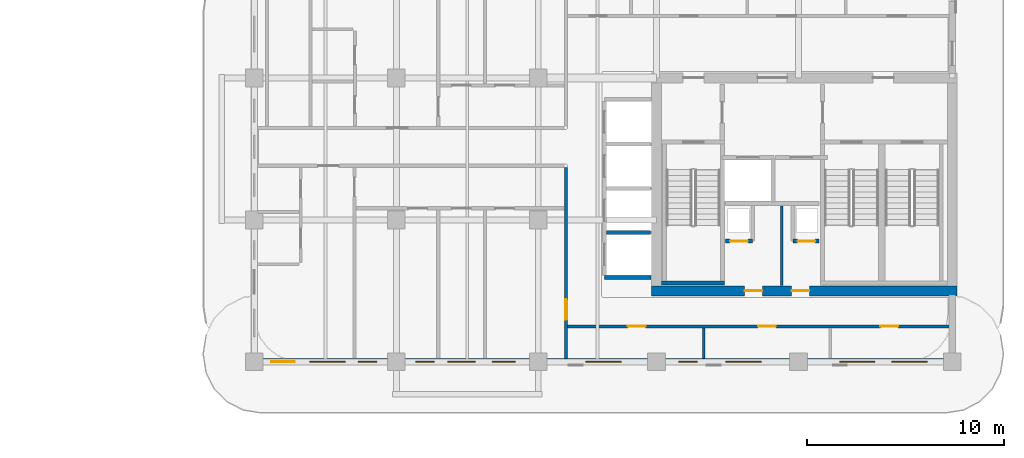
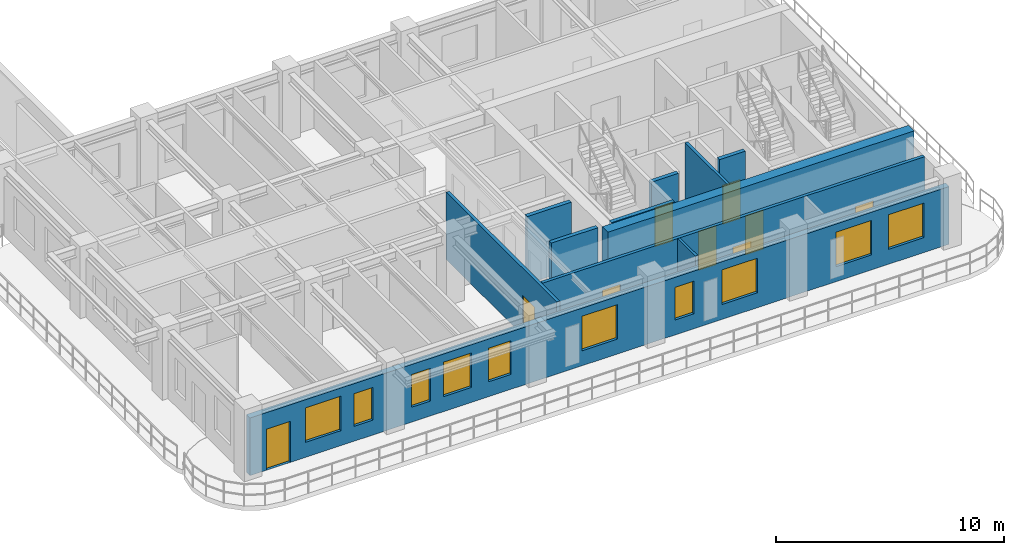
# One storey, part 7 of 14: 11 walls, 10 windows, 9 doors, 19 openings.
"""IFC4 building model written with IfcOpenShell, lengths in metres."""

from ifc_helpers import new_model, si_unit, derived_unit, direction, frame, frame_2d, origin, place, context, subcontext, project, spatial, rectangle, extrude, source, transform, mapped, material, layer, layer_set, type_object, type_shapes, element, fill, save


model = new_model("IFC4")

# Units and contexts
model_context = context("Model", 3, precision=1e-05, world=origin(), true_north=direction((0.0, 1.0)))
body_context = subcontext(model_context, "Body", "Model", "MODEL_VIEW")
ifc_project = project(units=[si_unit("LENGTHUNIT", "METRE"), si_unit("AREAUNIT", "SQUARE_METRE"), si_unit("VOLUMEUNIT", "CUBIC_METRE"), si_unit("PLANEANGLEUNIT", "RADIAN"), si_unit("MASSUNIT", "GRAM", prefix="KILO"), si_unit("THERMODYNAMICTEMPERATUREUNIT", "KELVIN"), si_unit("POWERUNIT", "WATT"), derived_unit("THERMALTRANSMITTANCEUNIT", [(si_unit("POWERUNIT", "WATT"), 1), (si_unit("AREAUNIT", "SQUARE_METRE"), -1), (si_unit("THERMODYNAMICTEMPERATUREUNIT", "KELVIN"), -1)])], contexts=[model_context])

# Site, building, storey
site_placement = place(None, origin())
site = spatial("IfcSite", under=ifc_project, at=site_placement, CompositionType="ELEMENT")
building_placement = place(site_placement, origin())
building = spatial("IfcBuilding", under=site, at=building_placement, Name="Zahravan Archway Hotel and Residences", CompositionType="ELEMENT")
storey_placement = place(building_placement, frame((0.0, 0.0, 209.60009765625)))
storey = spatial("IfcBuildingStorey", under=building, at=storey_placement, Name="L52", CompositionType="ELEMENT", Elevation=209.60009765625)

# Wall, openings, doors
ifc_material_1 = material(Name="Concrete C60/75", Category="concrete")
ifc_layer_1 = layer(ifc_material_1, 0.5, Name="Concrete C60/75", Category="concrete")
ifc_layer_set_1 = layer_set([ifc_layer_1], Name="Concrete C60/75")
wall_type_1 = type_object("IfcWallType", Name="CW-CORE-500", PredefinedType="SHEAR", material=ifc_layer_set_1)
wall_1_placement = place(storey_placement, frame((34.550048828125, 3.60009765625, 0.0), z_axis=(0.0, 0.0, 1.0), x_axis=(1.0, 0.0, 0.0)))
wall_1 = element("IfcWall", 1, at=wall_1_placement, inside=storey, type_object=wall_type_1, Name="L52 Core A Shear S Wall 500 mm", PredefinedType="SHEAR", context=body_context, shape_type="SweptSolid", body=[
    extrude(rectangle(XDim=15.5, YDim=0.5, at=frame_2d((7.75, 0.0))), origin(), (0.0, 0.0, 1.0), 3.849853515625),
])
opening_1_placement = place(wall_1_placement, frame((4.719970703125, 0.0, 0.0)))
opening_1 = element("IfcOpeningElement", 2, at=opening_1_placement, cuts=wall_1, Name="Opening FD-R1", PredefinedType="OPENING", context=body_context, shape_type="SweptSolid", body=[
    extrude(rectangle(XDim=0.89990234375, YDim=2.10009765625, at=frame_2d((0.449951171875, 1.050048828125))), frame((0.0, 0.260009765625, 0.0), z_axis=(0.0, -1.0, 0.0), x_axis=(1.0, 0.0, 0.0)), (0.0, 0.0, 1.0), 0.52001953125),
])
opening_2_placement = place(wall_1_placement, frame((7.10009765625, 0.0, 0.0)))
opening_2 = element("IfcOpeningElement", 3, at=opening_2_placement, cuts=wall_1, Name="Opening FD-R1", PredefinedType="OPENING", context=body_context, shape_type="SweptSolid", body=[
    extrude(rectangle(XDim=0.89990234375, YDim=2.10009765625, at=frame_2d((0.449951171875, 1.050048828125))), frame((0.0, 0.260009765625, 0.0), z_axis=(0.0, -1.0, 0.0), x_axis=(1.0, 0.0, 0.0)), (0.0, 0.0, 1.0), 0.52001953125),
])
ifc_material_2 = material(Name="Fire-Rated Painted Steel", Category="steel")
door_type_1 = type_object("IfcDoorType", Name="FD-RISER-900", OperationType="NOTDEFINED", PredefinedType="DOOR", material=ifc_material_2)
shared_shape_1 = source(origin(), body_context, "Body", "SweptSolid", [
    extrude(rectangle(XDim=0.89990234375, YDim=2.10009765625, at=frame_2d((0.449951171875, 1.050048828125))), frame((0.0, 0.02490234375, 0.0), z_axis=(0.0, -1.0, 0.0), x_axis=(1.0, 0.0, 0.0)), (0.0, 0.0, 1.0), 0.050048828125),
])
type_shapes(door_type_1, [shared_shape_1])
door_1_placement = place(opening_1_placement, origin())
door_1 = element("IfcDoor", 4, at=door_1_placement, inside=storey, type_object=door_type_1, Name="L52 Fan Room Door", OperationType="SINGLE_SWING_RIGHT", OverallHeight=2.10009765625, OverallWidth=0.89990234375, PredefinedType="DOOR", context=body_context, shape_type="MappedRepresentation", body=[
    mapped(shared_shape_1, transform((0.0, 0.0, 0.0), scale=1.0)),
])
fill(opening_1, door_1)
door_2_placement = place(opening_2_placement, origin())
door_2 = element("IfcDoor", 5, at=door_2_placement, inside=storey, type_object=door_type_1, Name="L52 Sub-Meter Cupboard Door", OperationType="SINGLE_SWING_LEFT", OverallHeight=2.10009765625, OverallWidth=0.89990234375, PredefinedType="DOOR", context=body_context, shape_type="MappedRepresentation", body=[
    mapped(shared_shape_1, transform((0.0, 0.0, 0.0), scale=1.0)),
])
fill(opening_2, door_2)

# Wall, openings, door, windows
ifc_material_3 = material(Name="Agra Buff Sandstone & Insulated Backup", Category="masonry")
ifc_layer_2 = layer(ifc_material_3, 0.320068359375, Name="Agra Buff Sandstone & Insulated Backup", Category="masonry")
ifc_layer_set_2 = layer_set([ifc_layer_2], Name="Agra Buff Sandstone & Insulated Backup")
wall_type_2 = type_object("IfcWallType", Name="EW-SAND-320", PredefinedType="SOLIDWALL", material=ifc_layer_set_2)
wall_2_placement = place(storey_placement, frame((14.39990234375, 0.0, 0.0), z_axis=(0.0, 0.0, 1.0), x_axis=(1.0, 0.0, 0.0)))
wall_2 = element("IfcWall", 6, at=wall_2_placement, inside=storey, type_object=wall_type_2, Name="L52 Exterior Sandstone Wall WA-S", PredefinedType="SOLIDWALL", context=body_context, shape_type="SweptSolid", body=[
    extrude(rectangle(XDim=35.400146484375, YDim=0.320068359375, at=frame_2d((17.7001953125, 0.0))), origin(), (0.0, 0.0, 1.0), 3.0849609375),
])
opening_3_placement = place(wall_2_placement, frame((0.85009765625, 0.0, 0.0)))
opening_3 = element("IfcOpeningElement", 7, at=opening_3_placement, cuts=wall_2, Name="Opening ED-BL1", PredefinedType="OPENING", context=body_context, shape_type="SweptSolid", body=[
    extrude(rectangle(XDim=1.199951171875, YDim=2.199951171875, at=frame_2d((0.60009765625, 1.10009765625))), frame((0.0, 0.169921875, 0.0), z_axis=(0.0, -1.0, 0.0), x_axis=(1.0, 0.0, 0.0)), (0.0, 0.0, 1.0), 0.340087890625),
])
opening_4_placement = place(wall_2_placement, frame((2.81103515625, 0.0, 0.800048828125)))
opening_4 = element("IfcOpeningElement", 8, at=opening_4_placement, cuts=wall_2, Name="Opening W-02", PredefinedType="OPENING", context=body_context, shape_type="SweptSolid", body=[
    extrude(rectangle(XDim=1.800048828125, YDim=1.85009765625, at=frame_2d((0.89990234375, 0.925048828125))), frame((0.0, 0.169921875, 0.0), z_axis=(0.0, -1.0, 0.0), x_axis=(1.0, 0.0, 0.0)), (0.0, 0.0, 1.0), 0.340087890625),
])
opening_5_placement = place(wall_2_placement, frame((5.26904296875, 0.0, 0.800048828125)))
opening_5 = element("IfcOpeningElement", 9, at=opening_5_placement, cuts=wall_2, Name="Opening W-04", PredefinedType="OPENING", context=body_context, shape_type="SweptSolid", body=[
    extrude(rectangle(XDim=0.949951171875, YDim=1.75, at=frame_2d((0.47509765625, 0.875))), frame((0.0, 0.169921875, 0.0), z_axis=(0.0, -1.0, 0.0), x_axis=(1.0, 0.0, 0.0)), (0.0, 0.0, 1.0), 0.340087890625),
])
opening_6_placement = place(wall_2_placement, frame((8.180908203125, 0.0, 0.800048828125)))
opening_6 = element("IfcOpeningElement", 10, at=opening_6_placement, cuts=wall_2, Name="Opening W-04", PredefinedType="OPENING", context=body_context, shape_type="SweptSolid", body=[
    extrude(rectangle(XDim=0.949951171875, YDim=1.75, at=frame_2d((0.47509765625, 0.875))), frame((0.0, 0.169921875, 0.0), z_axis=(0.0, -1.0, 0.0), x_axis=(1.0, 0.0, 0.0)), (0.0, 0.0, 1.0), 0.340087890625),
])
opening_7_placement = place(wall_2_placement, frame((9.81005859375, 0.0, 0.800048828125)))
opening_7 = element("IfcOpeningElement", 11, at=opening_7_placement, cuts=wall_2, Name="Opening W-03", PredefinedType="OPENING", context=body_context, shape_type="SweptSolid", body=[
    extrude(rectangle(XDim=1.39990234375, YDim=1.85009765625, at=frame_2d((0.699951171875, 0.925048828125))), frame((0.0, 0.169921875, 0.0), z_axis=(0.0, -1.0, 0.0), x_axis=(1.0, 0.0, 0.0)), (0.0, 0.0, 1.0), 0.340087890625),
])
opening_8_placement = place(wall_2_placement, frame((12.0791015625, 0.0, 0.800048828125)))
opening_8 = element("IfcOpeningElement", 12, at=opening_8_placement, cuts=wall_2, Name="Opening W-05", PredefinedType="OPENING", context=body_context, shape_type="SweptSolid", body=[
    extrude(rectangle(XDim=1.14990234375, YDim=1.800048828125, at=frame_2d((0.574951171875, 0.89990234375))), frame((0.0, 0.169921875, 0.0), z_axis=(0.0, -1.0, 0.0), x_axis=(1.0, 0.0, 0.0)), (0.0, 0.0, 1.0), 0.340087890625),
])
opening_9_placement = place(wall_2_placement, frame((16.803955078125, 0.0, 0.800048828125)))
opening_9 = element("IfcOpeningElement", 13, at=opening_9_placement, cuts=wall_2, Name="Opening W-02", PredefinedType="OPENING", context=body_context, shape_type="SweptSolid", body=[
    extrude(rectangle(XDim=1.800048828125, YDim=1.85009765625, at=frame_2d((0.89990234375, 0.925048828125))), frame((0.0, 0.169921875, 0.0), z_axis=(0.0, -1.0, 0.0), x_axis=(1.0, 0.0, 0.0)), (0.0, 0.0, 1.0), 0.340087890625),
])
opening_10_placement = place(wall_2_placement, frame((21.52099609375, 0.0, 0.800048828125)))
opening_10 = element("IfcOpeningElement", 14, at=opening_10_placement, cuts=wall_2, Name="Opening W-04", PredefinedType="OPENING", context=body_context, shape_type="SweptSolid", body=[
    extrude(rectangle(XDim=0.949951171875, YDim=1.75, at=frame_2d((0.47509765625, 0.875))), frame((0.0, 0.169921875, 0.0), z_axis=(0.0, -1.0, 0.0), x_axis=(1.0, 0.0, 0.0)), (0.0, 0.0, 1.0), 0.340087890625),
])
opening_11_placement = place(wall_2_placement, frame((23.904052734375, 0.0, 0.800048828125)))
opening_11 = element("IfcOpeningElement", 15, at=opening_11_placement, cuts=wall_2, Name="Opening W-02", PredefinedType="OPENING", context=body_context, shape_type="SweptSolid", body=[
    extrude(rectangle(XDim=1.800048828125, YDim=1.85009765625, at=frame_2d((0.89990234375, 0.925048828125))), frame((0.0, 0.169921875, 0.0), z_axis=(0.0, -1.0, 0.0), x_axis=(1.0, 0.0, 0.0)), (0.0, 0.0, 1.0), 0.340087890625),
])
opening_12_placement = place(wall_2_placement, frame((29.680908203125, 0.0, 0.800048828125)))
opening_12 = element("IfcOpeningElement", 16, at=opening_12_placement, cuts=wall_2, Name="Opening W-02", PredefinedType="OPENING", context=body_context, shape_type="SweptSolid", body=[
    extrude(rectangle(XDim=1.800048828125, YDim=1.85009765625, at=frame_2d((0.89990234375, 0.925048828125))), frame((0.0, 0.169921875, 0.0), z_axis=(0.0, -1.0, 0.0), x_axis=(1.0, 0.0, 0.0)), (0.0, 0.0, 1.0), 0.340087890625),
])
opening_13_placement = place(wall_2_placement, frame((32.326904296875, 0.0, 0.800048828125)))
opening_13 = element("IfcOpeningElement", 17, at=opening_13_placement, cuts=wall_2, Name="Opening W-02", PredefinedType="OPENING", context=body_context, shape_type="SweptSolid", body=[
    extrude(rectangle(XDim=1.800048828125, YDim=1.85009765625, at=frame_2d((0.89990234375, 0.925048828125))), frame((0.0, 0.169921875, 0.0), z_axis=(0.0, -1.0, 0.0), x_axis=(1.0, 0.0, 0.0)), (0.0, 0.0, 1.0), 0.340087890625),
])
ifc_material_4 = material(Name="Bronze-Anodized Glazed Aluminium", Category="aluminium")
door_type_2 = type_object("IfcDoorType", Name="ED-BALC-1200", OperationType="SLIDING_TO_LEFT", PredefinedType="DOOR", material=ifc_material_4)
shared_shape_2 = source(origin(), body_context, "Body", "SweptSolid", [
    extrude(rectangle(XDim=1.199951171875, YDim=2.199951171875, at=frame_2d((0.60009765625, 1.10009765625))), frame((0.0, 0.02490234375, 0.0), z_axis=(0.0, -1.0, 0.0), x_axis=(1.0, 0.0, 0.0)), (0.0, 0.0, 1.0), 0.050048828125),
])
type_shapes(door_type_2, [shared_shape_2])
door_3_placement = place(opening_3_placement, origin())
door_3 = element("IfcDoor", 18, at=door_3_placement, inside=storey, type_object=door_type_2, Name="L52 Outdoor Access Sliding Door (SLB-BAL-L52-SA)", OperationType="SLIDING_TO_LEFT", OverallHeight=2.199951171875, OverallWidth=1.199951171875, PredefinedType="DOOR", context=body_context, shape_type="MappedRepresentation", body=[
    mapped(shared_shape_2, transform((0.0, 0.0, 0.0), scale=1.0)),
])
fill(opening_3, door_3)
ifc_material_5 = material(Name="Bronze-Anodized Thermal-Break Aluminium & Low-E Glass", Category="aluminium")
window_type_1 = type_object("IfcWindowType", Name="WIN-TWR-1400", PartitioningType="SINGLE_PANEL", PredefinedType="WINDOW", material=ifc_material_5)
shared_shape_3 = source(origin(), body_context, "Body", "SweptSolid", [
    extrude(rectangle(XDim=1.39990234375, YDim=1.85009765625, at=frame_2d((0.699951171875, 0.925048828125))), frame((0.0, 0.030029296875, 0.0), z_axis=(0.0, -1.0, 0.0), x_axis=(1.0, 0.0, 0.0)), (0.0, 0.0, 1.0), 0.06005859375),
])
type_shapes(window_type_1, [shared_shape_3])
window_1_placement = place(opening_7_placement, origin())
window_1 = element("IfcWindow", 19, at=window_1_placement, inside=storey, type_object=window_type_1, Name="L52 Loggia Window 04", OverallHeight=1.85009765625, OverallWidth=1.39990234375, PartitioningType="SINGLE_PANEL", PredefinedType="WINDOW", context=body_context, shape_type="MappedRepresentation", body=[
    mapped(shared_shape_3, transform((0.0, 0.0, 0.0), scale=1.0)),
])
fill(opening_7, window_1)
window_type_2 = type_object("IfcWindowType", Name="WIN-NAR-950", PartitioningType="SINGLE_PANEL", PredefinedType="WINDOW", material=ifc_material_5)
shared_shape_4 = source(origin(), body_context, "Body", "SweptSolid", [
    extrude(rectangle(XDim=0.949951171875, YDim=1.75, at=frame_2d((0.47509765625, 0.875))), frame((0.0, 0.030029296875, 0.0), z_axis=(0.0, -1.0, 0.0), x_axis=(1.0, 0.0, 0.0)), (0.0, 0.0, 1.0), 0.06005859375),
])
type_shapes(window_type_2, [shared_shape_4])
window_2_placement = place(opening_5_placement, origin())
window_2 = element("IfcWindow", 20, at=window_2_placement, inside=storey, type_object=window_type_2, Name="L52 Loggia Window 02", OverallHeight=1.75, OverallWidth=0.949951171875, PartitioningType="SINGLE_PANEL", PredefinedType="WINDOW", context=body_context, shape_type="MappedRepresentation", body=[
    mapped(shared_shape_4, transform((0.0, 0.0, 0.0), scale=1.0)),
])
fill(opening_5, window_2)
window_3_placement = place(opening_6_placement, origin())
window_3 = element("IfcWindow", 21, at=window_3_placement, inside=storey, type_object=window_type_2, Name="L52 Loggia Window 03", OverallHeight=1.75, OverallWidth=0.949951171875, PartitioningType="SINGLE_PANEL", PredefinedType="WINDOW", context=body_context, shape_type="MappedRepresentation", body=[
    mapped(shared_shape_4, transform((0.0, 0.0, 0.0), scale=1.0)),
])
fill(opening_6, window_3)
window_4_placement = place(opening_10_placement, origin())
window_4 = element("IfcWindow", 22, at=window_4_placement, inside=storey, type_object=window_type_2, Name="L52 Loggia Window 07", OverallHeight=1.75, OverallWidth=0.949951171875, PartitioningType="SINGLE_PANEL", PredefinedType="WINDOW", context=body_context, shape_type="MappedRepresentation", body=[
    mapped(shared_shape_4, transform((0.0, 0.0, 0.0), scale=1.0)),
])
fill(opening_10, window_4)
window_type_3 = type_object("IfcWindowType", Name="WIN-TWR-1800", PartitioningType="DOUBLE_PANEL_VERTICAL", PredefinedType="WINDOW", material=ifc_material_5)
shared_shape_5 = source(origin(), body_context, "Body", "SweptSolid", [
    extrude(rectangle(XDim=1.800048828125, YDim=1.85009765625, at=frame_2d((0.89990234375, 0.925048828125))), frame((0.0, 0.030029296875, 0.0), z_axis=(0.0, -1.0, 0.0), x_axis=(1.0, 0.0, 0.0)), (0.0, 0.0, 1.0), 0.06005859375),
])
type_shapes(window_type_3, [shared_shape_5])
window_5_placement = place(opening_4_placement, origin())
window_5 = element("IfcWindow", 23, at=window_5_placement, inside=storey, type_object=window_type_3, Name="L52 Loggia Window 01", OverallHeight=1.85009765625, OverallWidth=1.800048828125, PartitioningType="DOUBLE_PANEL_VERTICAL", PredefinedType="WINDOW", context=body_context, shape_type="MappedRepresentation", body=[
    mapped(shared_shape_5, transform((0.0, 0.0, 0.0), scale=1.0)),
])
fill(opening_4, window_5)
window_6_placement = place(opening_9_placement, origin())
window_6 = element("IfcWindow", 24, at=window_6_placement, inside=storey, type_object=window_type_3, Name="L52 Loggia Window 06", OverallHeight=1.85009765625, OverallWidth=1.800048828125, PartitioningType="DOUBLE_PANEL_VERTICAL", PredefinedType="WINDOW", context=body_context, shape_type="MappedRepresentation", body=[
    mapped(shared_shape_5, transform((0.0, 0.0, 0.0), scale=1.0)),
])
fill(opening_9, window_6)
window_7_placement = place(opening_11_placement, origin())
window_7 = element("IfcWindow", 25, at=window_7_placement, inside=storey, type_object=window_type_3, Name="L52 Loggia Window 08", OverallHeight=1.85009765625, OverallWidth=1.800048828125, PartitioningType="DOUBLE_PANEL_VERTICAL", PredefinedType="WINDOW", context=body_context, shape_type="MappedRepresentation", body=[
    mapped(shared_shape_5, transform((0.0, 0.0, 0.0), scale=1.0)),
])
fill(opening_11, window_7)
window_8_placement = place(opening_12_placement, origin())
window_8 = element("IfcWindow", 26, at=window_8_placement, inside=storey, type_object=window_type_3, Name="L52 Loggia Window 09", OverallHeight=1.85009765625, OverallWidth=1.800048828125, PartitioningType="DOUBLE_PANEL_VERTICAL", PredefinedType="WINDOW", context=body_context, shape_type="MappedRepresentation", body=[
    mapped(shared_shape_5, transform((0.0, 0.0, 0.0), scale=1.0)),
])
fill(opening_12, window_8)
window_9_placement = place(opening_13_placement, origin())
window_9 = element("IfcWindow", 27, at=window_9_placement, inside=storey, type_object=window_type_3, Name="L52 Loggia Window 10", OverallHeight=1.85009765625, OverallWidth=1.800048828125, PartitioningType="DOUBLE_PANEL_VERTICAL", PredefinedType="WINDOW", context=body_context, shape_type="MappedRepresentation", body=[
    mapped(shared_shape_5, transform((0.0, 0.0, 0.0), scale=1.0)),
])
fill(opening_13, window_9)
window_type_4 = type_object("IfcWindowType", Name="WIN-TWR-1150", PartitioningType="SINGLE_PANEL", PredefinedType="WINDOW", material=ifc_material_5)
shared_shape_6 = source(origin(), body_context, "Body", "SweptSolid", [
    extrude(rectangle(XDim=1.14990234375, YDim=1.800048828125, at=frame_2d((0.574951171875, 0.89990234375))), frame((0.0, 0.030029296875, 0.0), z_axis=(0.0, -1.0, 0.0), x_axis=(1.0, 0.0, 0.0)), (0.0, 0.0, 1.0), 0.06005859375),
])
type_shapes(window_type_4, [shared_shape_6])
window_10_placement = place(opening_8_placement, origin())
window_10 = element("IfcWindow", 28, at=window_10_placement, inside=storey, type_object=window_type_4, Name="L52 Loggia Window 05", OverallHeight=1.800048828125, OverallWidth=1.14990234375, PartitioningType="SINGLE_PANEL", PredefinedType="WINDOW", context=body_context, shape_type="MappedRepresentation", body=[
    mapped(shared_shape_6, transform((0.0, 0.0, 0.0), scale=1.0)),
])
fill(opening_8, window_10)

# Wall, opening, door
ifc_material_6 = material(Name="Fire-Rated Gypsum & Concrete Block", Category="concrete")
ifc_layer_3 = layer(ifc_material_6, 0.159912109375, Name="Fire-Rated Gypsum & Concrete Block", Category="concrete")
ifc_layer_set_3 = layer_set([ifc_layer_3], Name="Fire-Rated Gypsum & Concrete Block")
wall_type_3 = type_object("IfcWallType", Name="PW-CORR-160", PredefinedType="PARTITIONING", material=ifc_layer_set_3)
wall_3_placement = place(storey_placement, frame((30.199951171875, 0.16796875, 0.0), z_axis=(0.0, 0.0, 1.0), x_axis=(0.0, 1.0, 0.0)))
wall_3 = element("IfcWall", 29, at=wall_3_placement, inside=storey, type_object=wall_type_3, Name="L52 Partition WA-SRW", PredefinedType="PARTITIONING", context=body_context, shape_type="SweptSolid", body=[
    extrude(rectangle(XDim=9.692138671875, YDim=0.159912109375, at=frame_2d((4.84619140625, 0.0))), origin(), (0.0, 0.0, 1.0), 3.599853515625),
])
opening_14_placement = place(wall_3_placement, frame((1.95703125, 0.0, 0.0)))
opening_14 = element("IfcOpeningElement", 30, at=opening_14_placement, cuts=wall_3, Name="Opening FD-L2", PredefinedType="OPENING", context=body_context, shape_type="SweptSolid", body=[
    extrude(rectangle(XDim=1.050048828125, YDim=2.14990234375, at=frame_2d((0.52490234375, 1.074951171875))), frame((0.0, 0.08984375, 0.0), z_axis=(0.0, -1.0, 0.0), x_axis=(1.0, 0.0, 0.0)), (0.0, 0.0, 1.0), 0.179931640625),
])
door_type_3 = type_object("IfcDoorType", Name="FD-LOBBY-1100", OperationType="NOTDEFINED", PredefinedType="DOOR", material=ifc_material_2)
shared_shape_7 = source(origin(), body_context, "Body", "SweptSolid", [
    extrude(rectangle(XDim=1.050048828125, YDim=2.14990234375, at=frame_2d((0.52490234375, 1.074951171875))), frame((0.0, 0.02490234375, 0.0), z_axis=(0.0, -1.0, 0.0), x_axis=(1.0, 0.0, 0.0)), (0.0, 0.0, 1.0), 0.050048828125),
])
type_shapes(door_type_3, [shared_shape_7])
door_4_placement = place(opening_14_placement, origin())
door_4 = element("IfcDoor", 31, at=door_4_placement, inside=storey, type_object=door_type_3, Name="L52 South Riser Corridor Door", OperationType="SINGLE_SWING_LEFT", OverallHeight=2.14990234375, OverallWidth=1.050048828125, PredefinedType="DOOR", context=body_context, shape_type="MappedRepresentation", body=[
    mapped(shared_shape_7, transform((0.0, 0.0, 0.0), scale=1.0)),
])
fill(opening_14, door_4)

# Wall, openings, doors
wall_4_placement = place(storey_placement, frame((30.2900390625, 1.800048828125, 0.0), z_axis=(0.0, 0.0, 1.0), x_axis=(1.0, 0.0, 0.0)))
wall_4 = element("IfcWall", 32, at=wall_4_placement, inside=storey, type_object=wall_type_3, Name="L52 Partition WA-SRS", PredefinedType="PARTITIONING", context=body_context, shape_type="SweptSolid", body=[
    extrude(rectangle(XDim=19.369873046875, YDim=0.159912109375, at=frame_2d((9.68505859375, 0.0))), origin(), (0.0, 0.0, 1.0), 3.599853515625),
])
opening_15_placement = place(wall_4_placement, frame((3.0537109375, 0.0, 0.0)))
opening_15 = element("IfcOpeningElement", 33, at=opening_15_placement, cuts=wall_4, Name="Opening D-I2", PredefinedType="OPENING", context=body_context, shape_type="SweptSolid", body=[
    extrude(rectangle(XDim=0.89990234375, YDim=2.14990234375, at=frame_2d((0.449951171875, 1.074951171875))), frame((0.0, 0.08984375, 0.0), z_axis=(0.0, -1.0, 0.0), x_axis=(1.0, 0.0, 0.0)), (0.0, 0.0, 1.0), 0.179931640625),
])
opening_16_placement = place(wall_4_placement, frame((9.659912109375, 0.0, 0.0)))
opening_16 = element("IfcOpeningElement", 34, at=opening_16_placement, cuts=wall_4, Name="Opening D-I2", PredefinedType="OPENING", context=body_context, shape_type="SweptSolid", body=[
    extrude(rectangle(XDim=0.89990234375, YDim=2.14990234375, at=frame_2d((0.449951171875, 1.074951171875))), frame((0.0, 0.08984375, 0.0), z_axis=(0.0, -1.0, 0.0), x_axis=(1.0, 0.0, 0.0)), (0.0, 0.0, 1.0), 0.179931640625),
])
opening_17_placement = place(wall_4_placement, frame((15.860107421875, 0.0, 0.0)))
opening_17 = element("IfcOpeningElement", 35, at=opening_17_placement, cuts=wall_4, Name="Opening D-I2", PredefinedType="OPENING", context=body_context, shape_type="SweptSolid", body=[
    extrude(rectangle(XDim=0.89990234375, YDim=2.14990234375, at=frame_2d((0.449951171875, 1.074951171875))), frame((0.0, 0.08984375, 0.0), z_axis=(0.0, -1.0, 0.0), x_axis=(1.0, 0.0, 0.0)), (0.0, 0.0, 1.0), 0.179931640625),
])
ifc_material_7 = material(Name="Hardwood Veneer Timber", Category="wood")
door_type_4 = type_object("IfcDoorType", Name="ID-INT-900", OperationType="NOTDEFINED", PredefinedType="DOOR", material=ifc_material_7)
shared_shape_8 = source(origin(), body_context, "Body", "SweptSolid", [
    extrude(rectangle(XDim=0.89990234375, YDim=2.14990234375, at=frame_2d((0.449951171875, 1.074951171875))), frame((0.0, 0.02490234375, 0.0), z_axis=(0.0, -1.0, 0.0), x_axis=(1.0, 0.0, 0.0)), (0.0, 0.0, 1.0), 0.050048828125),
])
type_shapes(door_type_4, [shared_shape_8])
door_5_placement = place(opening_15_placement, origin())
door_5 = element("IfcDoor", 36, at=door_5_placement, inside=storey, type_object=door_type_4, Name="L52 South Office Door", OperationType="SINGLE_SWING_RIGHT", OverallHeight=2.14990234375, OverallWidth=0.89990234375, PredefinedType="DOOR", context=body_context, shape_type="MappedRepresentation", body=[
    mapped(shared_shape_8, transform((0.0, 0.0, 0.0), scale=1.0)),
])
fill(opening_15, door_5)
door_6_placement = place(opening_16_placement, origin())
door_6 = element("IfcDoor", 37, at=door_6_placement, inside=storey, type_object=door_type_4, Name="L52 South Meeting Door", OperationType="SINGLE_SWING_LEFT", OverallHeight=2.14990234375, OverallWidth=0.89990234375, PredefinedType="DOOR", context=body_context, shape_type="MappedRepresentation", body=[
    mapped(shared_shape_8, transform((0.0, 0.0, 0.0), scale=1.0)),
])
fill(opening_16, door_6)
door_7_placement = place(opening_17_placement, origin())
door_7 = element("IfcDoor", 38, at=door_7_placement, inside=storey, type_object=door_type_4, Name="L52 South Prayer Alcove Door", OperationType="SINGLE_SWING_RIGHT", OverallHeight=2.14990234375, OverallWidth=0.89990234375, PredefinedType="DOOR", context=body_context, shape_type="MappedRepresentation", body=[
    mapped(shared_shape_8, transform((0.0, 0.0, 0.0), scale=1.0)),
])
fill(opening_17, door_7)

# Wall
ifc_material_8 = material(Name="Acoustic Stud Partition")
ifc_layer_4 = layer(ifc_material_8, 0.125, Name="Acoustic Stud Partition")
ifc_layer_set_4 = layer_set([ifc_layer_4], Name="Acoustic Stud Partition")
wall_type_4 = type_object("IfcWallType", Name="PW-INT-125", PredefinedType="PARTITIONING", material=ifc_layer_set_4)
wall_5_placement = place(storey_placement, frame((37.199951171875, 0.16796875, 0.0), z_axis=(0.0, 0.0, 1.0), x_axis=(0.0, 1.0, 0.0)))
element("IfcWall", 39, at=wall_5_placement, inside=storey, type_object=wall_type_4, Name="L52 Partition S-DIV2A", PredefinedType="PARTITIONING", context=body_context, shape_type="SweptSolid", body=[
    extrude(rectangle(XDim=1.5419921875, YDim=0.125, at=frame_2d((0.77099609375, 0.0))), origin(), (0.0, 0.0, 1.0), 3.599853515625),
])

# Wall, opening, door
ifc_layer_5 = layer(ifc_material_6, 0.199951171875, Name="Fire-Rated Gypsum & Concrete Block", Category="concrete")
ifc_layer_set_5 = layer_set([ifc_layer_5], Name="Fire-Rated Gypsum & Concrete Block")
wall_type_5 = type_object("IfcWallType", Name="PW-SHAFT-200", PredefinedType="PARTITIONING", material=ifc_layer_set_5)
wall_6_placement = place(storey_placement, frame((38.2900390625, 6.1201171875, 0.0), z_axis=(0.0, 0.0, 1.0), x_axis=(1.0, 0.0, 0.0)))
wall_6 = element("IfcWall", 40, at=wall_6_placement, inside=storey, type_object=wall_type_5, Name="L52 Partition CA-SMKS", PredefinedType="PARTITIONING", context=body_context, shape_type="SweptSolid", body=[
    extrude(rectangle(XDim=1.3798828125, YDim=0.199951171875, at=frame_2d((0.68994140625, 0.0))), origin(), (0.0, 0.0, 1.0), 3.599853515625),
])
opening_18_placement = place(wall_6_placement, frame((0.239990234375, 0.0, 0.0)))
opening_18 = element("IfcOpeningElement", 41, at=opening_18_placement, cuts=wall_6, Name="Opening FD-R1", PredefinedType="OPENING", context=body_context, shape_type="SweptSolid", body=[
    extrude(rectangle(XDim=0.89990234375, YDim=2.10009765625, at=frame_2d((0.449951171875, 1.050048828125))), frame((0.0, 0.10986328125, 0.0), z_axis=(0.0, -1.0, 0.0), x_axis=(1.0, 0.0, 0.0)), (0.0, 0.0, 1.0), 0.219970703125),
])
door_8_placement = place(opening_18_placement, origin())
door_8 = element("IfcDoor", 42, at=door_8_placement, inside=storey, type_object=door_type_1, Name="L52 Smoke Riser Access Door", OperationType="SINGLE_SWING_RIGHT", OverallHeight=2.10009765625, OverallWidth=0.89990234375, PredefinedType="DOOR", context=body_context, shape_type="MappedRepresentation", body=[
    mapped(shared_shape_1, transform((0.0, 0.0, 0.0), scale=1.0)),
])
fill(opening_18, door_8)

wall_7_placement = place(storey_placement, frame((41.72998046875, 6.1201171875, 0.0), z_axis=(0.0, 0.0, 1.0), x_axis=(1.0, 0.0, 0.0)))
wall_7 = element("IfcWall", 43, at=wall_7_placement, inside=storey, type_object=wall_type_5, Name="L52 Partition CA-MEPS", PredefinedType="PARTITIONING", context=body_context, shape_type="SweptSolid", body=[
    extrude(rectangle(XDim=1.320068359375, YDim=0.199951171875, at=frame_2d((0.66015625, 0.0))), origin(), (0.0, 0.0, 1.0), 3.599853515625),
])
opening_19_placement = place(wall_7_placement, frame((0.219970703125, 0.0, 0.0)))
opening_19 = element("IfcOpeningElement", 44, at=opening_19_placement, cuts=wall_7, Name="Opening FD-R1", PredefinedType="OPENING", context=body_context, shape_type="SweptSolid", body=[
    extrude(rectangle(XDim=0.89990234375, YDim=2.10009765625, at=frame_2d((0.449951171875, 1.050048828125))), frame((0.0, 0.10986328125, 0.0), z_axis=(0.0, -1.0, 0.0), x_axis=(1.0, 0.0, 0.0)), (0.0, 0.0, 1.0), 0.219970703125),
])
door_9_placement = place(opening_19_placement, origin())
door_9 = element("IfcDoor", 45, at=door_9_placement, inside=storey, type_object=door_type_1, Name="L52 MEP Riser Access Door", OperationType="SINGLE_SWING_LEFT", OverallHeight=2.10009765625, OverallWidth=0.89990234375, PredefinedType="DOOR", context=body_context, shape_type="MappedRepresentation", body=[
    mapped(shared_shape_1, transform((0.0, 0.0, 0.0), scale=1.0)),
])
fill(opening_19, door_9)

# Walls
wall_8_placement = place(storey_placement, frame((32.159912109375, 4.280029296875, 0.0), z_axis=(0.0, 0.0, 1.0), x_axis=(1.0, 0.0, 0.0)))
element("IfcWall", 46, at=wall_8_placement, inside=storey, type_object=wall_type_5, Name="L52 Partition B3-S", PredefinedType="PARTITIONING", context=body_context, shape_type="SweptSolid", body=[
    extrude(rectangle(XDim=2.360107421875, YDim=0.199951171875, at=frame_2d((1.18017578125, 0.0))), origin(), (0.0, 0.0, 1.0), 3.599853515625),
])
wall_9_placement = place(storey_placement, frame((32.260009765625, 6.56005859375, 0.0), z_axis=(0.0, 0.0, 1.0), x_axis=(1.0, 0.0, 0.0)))
element("IfcWall", 47, at=wall_9_placement, inside=storey, type_object=wall_type_5, Name="L52 Partition B3-D", PredefinedType="PARTITIONING", context=body_context, shape_type="SweptSolid", body=[
    extrude(rectangle(XDim=2.22998046875, YDim=0.199951171875, at=frame_2d((1.114990234375, 0.0))), origin(), (0.0, 0.0, 1.0), 3.599853515625),
])
ifc_material_9 = material(Name="Moisture-Resistant Blockwork", Category="masonry")
ifc_layer_6 = layer(ifc_material_9, 0.139892578125, Name="Moisture-Resistant Blockwork", Category="masonry")
ifc_layer_set_6 = layer_set([ifc_layer_6], Name="Moisture-Resistant Blockwork")
wall_type_6 = type_object("IfcWallType", Name="PW-WET-140", PredefinedType="PARTITIONING", material=ifc_layer_set_6)
wall_10_placement = place(storey_placement, frame((41.14990234375, 3.8701171875, 0.0), z_axis=(0.0, 0.0, 1.0), x_axis=(0.0, 1.0, 0.0)))
element("IfcWall", 48, at=wall_10_placement, inside=storey, type_object=wall_type_6, Name="L52 Partition CA-CV2V", PredefinedType="PARTITIONING", context=body_context, shape_type="SweptSolid", body=[
    extrude(rectangle(XDim=4.039794921875, YDim=0.139892578125, at=frame_2d((2.02001953125, 0.0))), origin(), (0.0, 0.0, 1.0), 3.599853515625),
])
ifc_material_10 = material(Name="Concrete C50/60", Category="concrete")
ifc_layer_7 = layer(ifc_material_10, 0.199951171875, Name="Concrete C50/60", Category="concrete")
ifc_layer_set_7 = layer_set([ifc_layer_7], Name="Concrete C50/60")
wall_type_7 = type_object("IfcWallType", Name="SW-STAIR-200", PredefinedType="SHEAR", material=ifc_layer_set_7)
wall_11_placement = place(storey_placement, frame((35.050048828125, 4.0, 0.0), z_axis=(0.0, 0.0, 1.0), x_axis=(1.0, 0.0, 0.0)))
element("IfcWall", 49, at=wall_11_placement, inside=storey, type_object=wall_type_7, Name="L52 Stairwell RC Wall CA-SA1S", PredefinedType="SHEAR", context=body_context, shape_type="SweptSolid", body=[
    extrude(rectangle(XDim=3.18994140625, YDim=0.199951171875, at=frame_2d((1.594970703125, 0.0))), origin(), (0.0, 0.0, 1.0), 3.849853515625),
])

save(model, "model.ifc")
